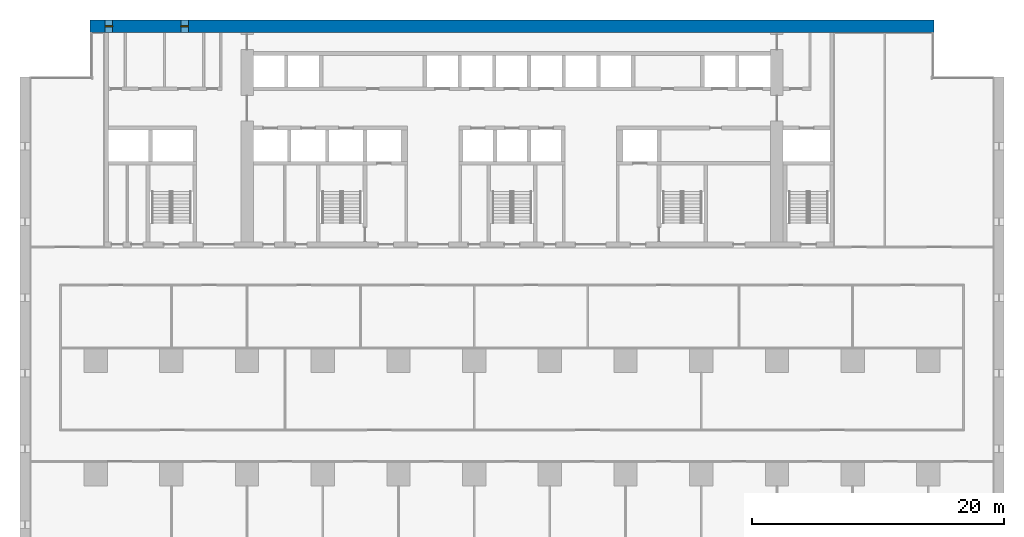
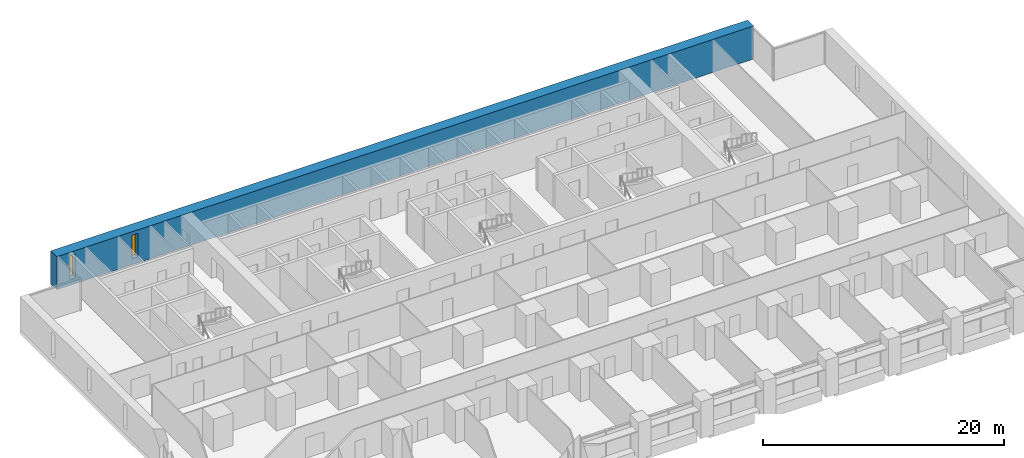
# One storey, part 12 of 18: 2 windows, 1 wall, 2 openings.
"""IFC4 building model written with IfcOpenShell, lengths in metres."""

from ifc_helpers import new_model, si_unit, direction, frame, frame_2d, origin, place, context, subcontext, project, spatial, rectangle, extrude, material, layer, layer_set, type_object, element, fill, save


model = new_model("IFC4")

# Units and contexts
model_context = context("Model", 3, precision=1e-05, world=origin(), true_north=direction((0.0, 1.0)))
body_context = subcontext(model_context, "Body", "Model", "MODEL_VIEW")
ifc_project = project(units=[si_unit("LENGTHUNIT", "METRE"), si_unit("AREAUNIT", "SQUARE_METRE"), si_unit("VOLUMEUNIT", "CUBIC_METRE"), si_unit("PLANEANGLEUNIT", "RADIAN"), si_unit("MASSUNIT", "GRAM", prefix="KILO")], contexts=[model_context])

# Site, building, storey
site_placement = place(None, origin())
site = spatial("IfcSite", under=ifc_project, at=site_placement, CompositionType="ELEMENT")
building_placement = place(site_placement, origin())
building = spatial("IfcBuilding", under=site, at=building_placement, Name="Calvaro Tower", CompositionType="ELEMENT")
storey_placement = place(building_placement, frame((0.0, 0.0, 26.25)))
storey = spatial("IfcBuildingStorey", under=building, at=storey_placement, Name="L05", CompositionType="ELEMENT", Elevation=26.25)

# Wall, openings, windows
ifc_material_1 = material(Name="Concrete C80/95", Category="concrete")
ifc_layer = layer(ifc_material_1, 1.0)
ifc_layer_set = layer_set([ifc_layer], Name="Concrete C80/95")
wall_type = type_object("IfcWallType", Name="Rear core wall 1000 C80/95", PredefinedType="SHEAR", material=ifc_layer_set)
wall_placement = place(storey_placement, frame((5.550048828125, 45.5, 0.0), z_axis=(0.0, 0.0, 1.0), x_axis=(1.0, 0.0, 0.0)))
wall = element("IfcWall", 1, at=wall_placement, inside=storey, type_object=wall_type, Name="North core wall", PredefinedType="SHEAR", context=body_context, shape_type="SweptSolid", body=[
    extrude(rectangle(XDim=66.89990234375, YDim=1.0, at=frame_2d((33.449951171875, 0.0))), origin(), (0.0, 0.0, 1.0), 3.35009765625),
])
opening_1_placement = place(wall_placement, frame((1.199951171875, 0.0, 0.60009765625)))
opening_1 = element("IfcOpeningElement", 2, at=opening_1_placement, cuts=wall, Name="Opening WN01", PredefinedType="OPENING", context=body_context, shape_type="SweptSolid", body=[
    extrude(rectangle(XDim=0.60009765625, YDim=2.39990234375, at=frame_2d((0.300048828125, 1.199951171875))), frame((0.0, 0.510009765625, 0.0), z_axis=(0.0, -1.0, 0.0), x_axis=(1.0, 0.0, 0.0)), (0.0, 0.0, 1.0), 1.02001953125),
])
opening_2_placement = place(wall_placement, frame((7.199951171875, 0.0, 0.60009765625)))
opening_2 = element("IfcOpeningElement", 3, at=opening_2_placement, cuts=wall, Name="Opening WN02", PredefinedType="OPENING", context=body_context, shape_type="SweptSolid", body=[
    extrude(rectangle(XDim=0.60009765625, YDim=2.39990234375, at=frame_2d((0.300048828125, 1.199951171875))), frame((0.0, 0.510009765625, 0.0), z_axis=(0.0, -1.0, 0.0), x_axis=(1.0, 0.0, 0.0)), (0.0, 0.0, 1.0), 1.02001953125),
])
ifc_material_2 = material(Name="Glass", Category="glass")
window_type = type_object("IfcWindowType", Name="Slit window 600 x 2400", PartitioningType="SINGLE_PANEL", PredefinedType="WINDOW", material=ifc_material_2)
window_1_placement = place(opening_1_placement, origin())
window_1 = element("IfcWindow", 4, at=window_1_placement, inside=storey, type_object=window_type, Name="Window WN01", OverallHeight=2.39990234375, OverallWidth=0.60009765625, PartitioningType="SINGLE_PANEL", PredefinedType="WINDOW", context=body_context, shape_type="SweptSolid", body=[
    extrude(rectangle(XDim=0.60009765625, YDim=2.39990234375, at=frame_2d((0.300048828125, 1.199951171875))), frame((0.0, 0.030029296875, 0.0), z_axis=(0.0, -1.0, 0.0), x_axis=(1.0, 0.0, 0.0)), (0.0, 0.0, 1.0), 0.06005859375),
])
fill(opening_1, window_1)
window_2_placement = place(opening_2_placement, origin())
window_2 = element("IfcWindow", 5, at=window_2_placement, inside=storey, type_object=window_type, Name="Window WN02", OverallHeight=2.39990234375, OverallWidth=0.60009765625, PartitioningType="SINGLE_PANEL", PredefinedType="WINDOW", context=body_context, shape_type="SweptSolid", body=[
    extrude(rectangle(XDim=0.60009765625, YDim=2.39990234375, at=frame_2d((0.300048828125, 1.199951171875))), frame((0.0, 0.030029296875, 0.0), z_axis=(0.0, -1.0, 0.0), x_axis=(1.0, 0.0, 0.0)), (0.0, 0.0, 1.0), 0.06005859375),
])
fill(opening_2, window_2)

save(model, "model.ifc")
